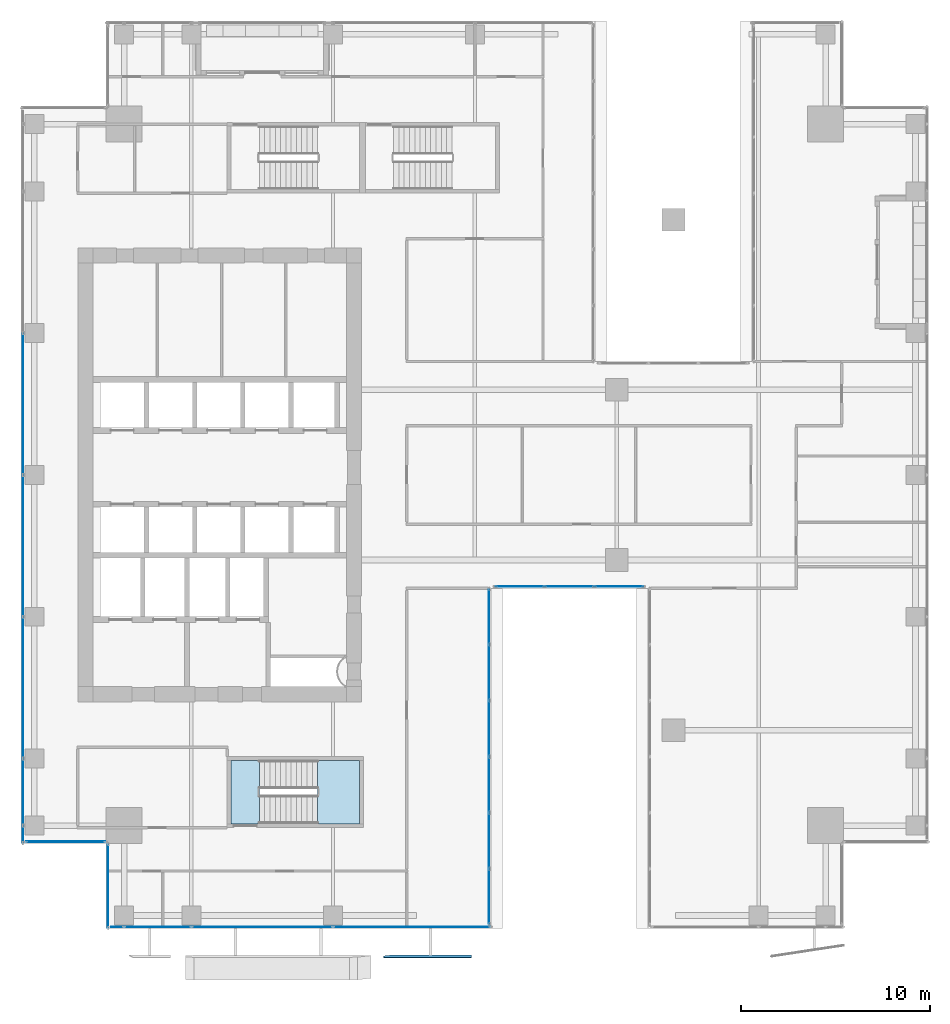
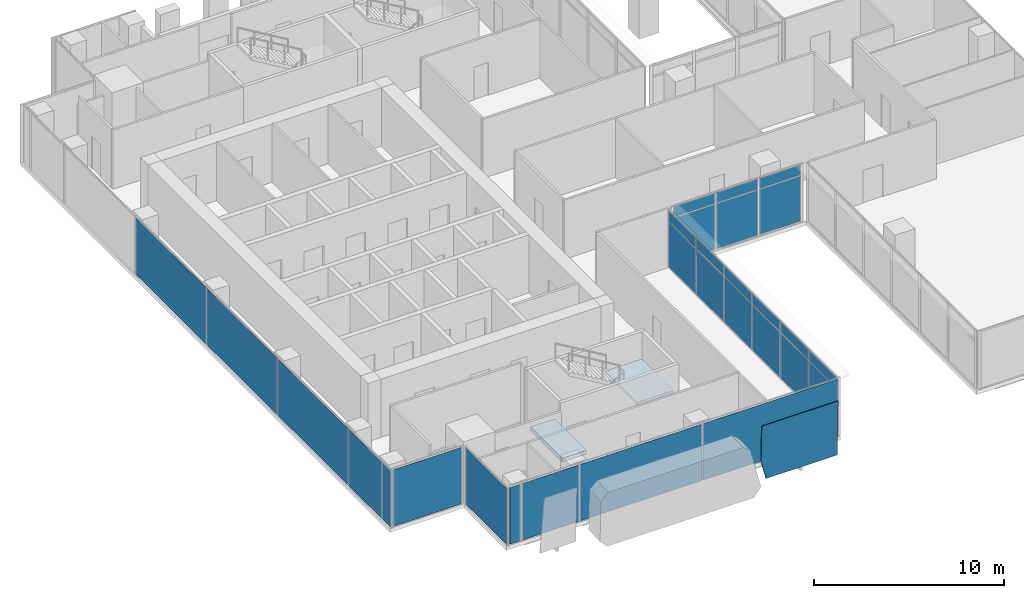
# One storey, part 29 of 40: 30 plates, 2 slabs, 7 elements without a shape of their own.
"""IFC4 building model written with IfcOpenShell, lengths in metres."""

from ifc_helpers import new_model, si_unit, direction, frame, origin, origin_2d, place, context, subcontext, project, spatial, polyline, rectangle, outline, extrude, source, transform, mapped, material, layer, layer_set, type_object, element, aggregate, save


model = new_model("IFC4")

# Units and contexts
model_context = context("Model", 3, precision=1e-05, world=origin(), true_north=direction((0.0, 1.0)))
body_context = subcontext(model_context, "Body", "Model", "MODEL_VIEW")
ifc_project = project(units=[si_unit("LENGTHUNIT", "METRE"), si_unit("AREAUNIT", "SQUARE_METRE"), si_unit("VOLUMEUNIT", "CUBIC_METRE"), si_unit("PLANEANGLEUNIT", "RADIAN"), si_unit("MASSUNIT", "GRAM", prefix="KILO")], contexts=[model_context])

# Site, building, storey
site_placement = place(None, origin())
site = spatial("IfcSite", under=ifc_project, at=site_placement, CompositionType="ELEMENT")
building_placement = place(site_placement, origin())
building = spatial("IfcBuilding", under=site, at=building_placement, Name="Khomas Fold Tower", CompositionType="ELEMENT")
storey_placement = place(building_placement, frame((0.0, 0.0, 180.699951171875)))
storey = spatial("IfcBuildingStorey", under=building, at=storey_placement, Name="L39", CompositionType="ELEMENT", Elevation=180.699951171875)

# Plate
ifc_material_1 = material(Name="Clear laminated glass", Category="glass")
ifc_layer_1 = layer(ifc_material_1, 0.0400390625)
ifc_layer_set_1 = layer_set([ifc_layer_1], Name="Clear laminated glass")
plate_type_1 = type_object("IfcPlateType", Name="SK-Clear laminated glass leaf", PredefinedType="SHEET", material=ifc_layer_set_1)
plate_1_placement = place(storey_placement, frame((22.490966796875, 1.59912109375, 0.0), z_axis=(-9.623456e-06, 0.999510828257, 0.031274655939), x_axis=(-0.260166514169, -0.030200177025, 0.965091360552)))
element("IfcPlate", 1, at=plate_1_placement, inside=storey, type_object=plate_type_1, Name="OUTER SKIN glass L39 SG102-2", PredefinedType="SHEET", context=body_context, shape_type="SweptSolid", body=[
    extrude(outline(polyline([(0.0, 0.0), (1.2339978637674525, 0.0), (3.513001347771091, 0.6140665322882664), (2.3005847407254865, 5.113744547809249), (-1.1288914688297111, 4.18968867193286), (0.0, 0.0)])), origin(), (0.0, 0.0, -1.0), 0.0400390625),
])

# Curtain wall, plate
ifc_material_2 = material(Name="Aluminium framed double glazing", Category="aluminium")
curtain_wall_type_1 = type_object("IfcCurtainWallType", Name="SK-Unitised clear-glass wall, office floors CW2", PredefinedType="NOTDEFINED", material=ifc_material_2)
curtain_wall_1_placement = place(storey_placement, origin())
curtain_wall_1 = element("IfcCurtainWall", 2, at=curtain_wall_1_placement, inside=storey, type_object=curtain_wall_type_1, Name="CW2 corner return L39 00", PredefinedType="NOTDEFINED")
ifc_material_3 = material(Name="Clear double glazed unit")
ifc_layer_2 = layer(ifc_material_3, 0.030029296875)
ifc_layer_set_2 = layer_set([ifc_layer_2], Name="Clear double glazed unit")
plate_type_2 = type_object("IfcPlateType", Name="SK-Unitised clear-glass wall, office floors glass panel CW2-P", PredefinedType="CURTAIN_PANEL", material=ifc_layer_set_2)
shared_shape_1 = source(origin(), body_context, "Body", "SweptSolid", [
    extrude(rectangle(XDim=4.3798828125, YDim=0.030029296875, at=origin_2d()), origin(), (0.0, 0.0, 1.0), 3.639892578125),
])
plate_2_placement = place(storey_placement, frame((7.60009765625, 5.25, 0.0), z_axis=(0.0, 0.0, 1.0), x_axis=(0.0, -1.0, 0.0)))
plate_2 = element("IfcPlate", 3, at=plate_2_placement, type_object=plate_type_2, Name="CW2 glass panel 1", PredefinedType="CURTAIN_PANEL", context=body_context, shape_type="MappedRepresentation", body=[
    mapped(shared_shape_1, transform((0.0, 0.0, 0.0))),
])
aggregate(curtain_wall_1, [plate_2])

# Curtain wall, plates
curtain_wall_2_placement = place(storey_placement, origin())
curtain_wall_2 = element("IfcCurtainWall", 4, at=curtain_wall_2_placement, inside=storey, type_object=curtain_wall_type_1, Name="CW2 run L39 01-0", PredefinedType="NOTDEFINED")
shared_shape_2 = source(origin(), body_context, "Body", "SweptSolid", [
    extrude(rectangle(XDim=0.659912109375, YDim=0.030029296875, at=origin_2d()), origin(), (0.0, 0.0, 1.0), 3.639892578125),
])
plate_3_placement = place(storey_placement, frame((8.090087890625, 3.10009765625, 0.0), z_axis=(0.0, 0.0, 1.0), x_axis=(1.0, 0.0, 0.0)))
plate_3 = element("IfcPlate", 5, at=plate_3_placement, type_object=plate_type_2, Name="CW2 glass panel 1", PredefinedType="CURTAIN_PANEL", context=body_context, shape_type="MappedRepresentation", body=[
    mapped(shared_shape_2, transform((0.0, 0.0, 0.0))),
])
shared_shape_3 = source(origin(), body_context, "Body", "SweptSolid", [
    extrude(rectangle(XDim=3.489990234375, YDim=0.030029296875, at=origin_2d()), origin(), (0.0, 0.0, 1.0), 3.639892578125),
])
plate_4_placement = place(storey_placement, frame((10.22509765625, 3.10009765625, 0.0), z_axis=(0.0, 0.0, 1.0), x_axis=(1.0, 0.0, 0.0)))
plate_4 = element("IfcPlate", 6, at=plate_4_placement, type_object=plate_type_2, Name="CW2 glass panel 2", PredefinedType="CURTAIN_PANEL", context=body_context, shape_type="MappedRepresentation", body=[
    mapped(shared_shape_3, transform((0.0, 0.0, 0.0))),
])

# Curtain wall, plate
curtain_wall_3_placement = place(storey_placement, origin())
curtain_wall_3 = element("IfcCurtainWall", 7, at=curtain_wall_3_placement, inside=storey, type_object=curtain_wall_type_1, Name="CW2 run L39 18-0", PredefinedType="NOTDEFINED")
plate_5_placement = place(storey_placement, frame((3.10009765625, 10.22509765625, 0.0), z_axis=(0.0, 0.0, 1.0), x_axis=(0.0, -1.0, 0.0)))
plate_5 = element("IfcPlate", 8, at=plate_5_placement, type_object=plate_type_2, Name="CW2 glass panel 7", PredefinedType="CURTAIN_PANEL", context=body_context, shape_type="MappedRepresentation", body=[
    mapped(shared_shape_3, transform((0.0, 0.0, 0.0))),
])

# Plate
shared_shape_4 = source(origin(), body_context, "Body", "SweptSolid", [
    extrude(rectangle(XDim=7.43994140625, YDim=0.030029296875, at=origin_2d()), origin(), (0.0, 0.0, 1.0), 3.639892578125),
])
plate_6_placement = place(storey_placement, frame((15.75, 3.10009765625, 0.0), z_axis=(0.0, 0.0, 1.0), x_axis=(1.0, 0.0, 0.0)))
plate_6 = element("IfcPlate", 9, at=plate_6_placement, type_object=plate_type_2, Name="CW2 glass panel 3", PredefinedType="CURTAIN_PANEL", context=body_context, shape_type="MappedRepresentation", body=[
    mapped(shared_shape_4, transform((0.0, 0.0, 0.0))),
])

plate_7_placement = place(storey_placement, frame((3.10009765625, 30.75, 0.0), z_axis=(0.0, 0.0, 1.0), x_axis=(0.0, -1.0, 0.0)))
plate_7 = element("IfcPlate", 10, at=plate_7_placement, type_object=plate_type_2, Name="CW2 glass panel 4", PredefinedType="CURTAIN_PANEL", context=body_context, shape_type="MappedRepresentation", body=[
    mapped(shared_shape_4, transform((0.0, 0.0, 0.0))),
])

plate_8_placement = place(storey_placement, frame((3.10009765625, 23.25, 0.0), z_axis=(0.0, 0.0, 1.0), x_axis=(0.0, -1.0, 0.0)))
plate_8 = element("IfcPlate", 11, at=plate_8_placement, type_object=plate_type_2, Name="CW2 glass panel 5", PredefinedType="CURTAIN_PANEL", context=body_context, shape_type="MappedRepresentation", body=[
    mapped(shared_shape_4, transform((0.0, 0.0, 0.0))),
])

plate_9_placement = place(storey_placement, frame((3.10009765625, 15.75, 0.0), z_axis=(0.0, 0.0, 1.0), x_axis=(0.0, -1.0, 0.0)))
plate_9 = element("IfcPlate", 12, at=plate_9_placement, type_object=plate_type_2, Name="CW2 glass panel 6", PredefinedType="CURTAIN_PANEL", context=body_context, shape_type="MappedRepresentation", body=[
    mapped(shared_shape_4, transform((0.0, 0.0, 0.0))),
])

# Curtain wall, plate
curtain_wall_4_placement = place(storey_placement, origin())
curtain_wall_4 = element("IfcCurtainWall", 13, at=curtain_wall_4_placement, inside=storey, type_object=curtain_wall_type_1, Name="CW2 corner return L39 19", PredefinedType="NOTDEFINED")
shared_shape_5 = source(origin(), body_context, "Body", "SweptSolid", [
    extrude(rectangle(XDim=4.179931640625, YDim=0.030029296875, at=origin_2d()), origin(), (0.0, 0.0, 1.0), 3.639892578125),
])
plate_10_placement = place(storey_placement, frame((5.35009765625, 7.60009765625, 0.0), z_axis=(0.0, 0.0, 1.0), x_axis=(1.0, 0.0, 0.0)))
plate_10 = element("IfcPlate", 14, at=plate_10_placement, type_object=plate_type_2, Name="CW2 glass panel 1", PredefinedType="CURTAIN_PANEL", context=body_context, shape_type="MappedRepresentation", body=[
    mapped(shared_shape_5, transform((0.0, 0.0, 0.0))),
])
aggregate(curtain_wall_4, [plate_10])

# Plate
shared_shape_6 = source(origin(), body_context, "Body", "SweptSolid", [
    extrude(rectangle(XDim=0.860107421875, YDim=0.030029296875, at=origin_2d()), origin(), (0.0, 0.0, 1.0), 3.639892578125),
])
plate_11_placement = place(storey_placement, frame((3.10009765625, 7.989990234375, 0.0), z_axis=(0.0, 0.0, 1.0), x_axis=(0.0, -1.0, 0.0)))
plate_11 = element("IfcPlate", 15, at=plate_11_placement, type_object=plate_type_2, Name="CW2 glass panel 8", PredefinedType="CURTAIN_PANEL", context=body_context, shape_type="MappedRepresentation", body=[
    mapped(shared_shape_6, transform((0.0, 0.0, 0.0))),
])

aggregate(curtain_wall_3, [plate_7, plate_8, plate_9, plate_5, plate_11])

shared_shape_7 = source(origin(), body_context, "Body", "SweptSolid", [
    extrude(rectangle(XDim=8.260009765625, YDim=0.030029296875, at=origin_2d()), origin(), (0.0, 0.0, 1.0), 3.639892578125),
])
plate_12_placement = place(storey_placement, frame((23.659912109375, 3.10009765625, 0.0), z_axis=(0.0, 0.0, 1.0), x_axis=(1.0, 0.0, 0.0)))
plate_12 = element("IfcPlate", 16, at=plate_12_placement, type_object=plate_type_2, Name="CW2 glass panel 4", PredefinedType="CURTAIN_PANEL", context=body_context, shape_type="MappedRepresentation", body=[
    mapped(shared_shape_7, transform((0.0, 0.0, 0.0))),
])

aggregate(curtain_wall_2, [plate_3, plate_4, plate_6, plate_12])

# Curtain wall, plates
ifc_material_4 = material(Name="Aluminium framed double glazing", Category="aluminium")
curtain_wall_type_2 = type_object("IfcCurtainWallType", Name="Notch glazing GN-CW", PredefinedType="NOTDEFINED", material=ifc_material_4)
curtain_wall_5_placement = place(storey_placement, origin())
curtain_wall_5 = element("IfcCurtainWall", 17, at=curtain_wall_5_placement, inside=storey, type_object=curtain_wall_type_2, Name="Notch glazing run", PredefinedType="NOTDEFINED")
ifc_material_5 = material(Name="Double glazed unit")
ifc_layer_3 = layer(ifc_material_5, 0.031982421875)
ifc_layer_set_3 = layer_set([ifc_layer_3], Name="Double glazed unit")
plate_type_3 = type_object("IfcPlateType", Name="Notch glazing panel GN-CW-P", PredefinedType="CURTAIN_PANEL", material=ifc_layer_set_3)
shared_shape_8 = source(origin(), body_context, "Body", "SweptSolid", [
    extrude(rectangle(XDim=2.876708984375, YDim=0.031982421875, at=origin_2d()), origin(), (0.0, 0.0, 1.0), 2.909912109375),
])
plate_13_placement = place(storey_placement, frame((27.75, 4.6982421875, 0.06005859375), z_axis=(0.0, 0.0, 1.0), x_axis=(0.0, 1.0, 0.0)))
plate_13 = element("IfcPlate", 18, at=plate_13_placement, type_object=plate_type_3, Name="GN-CW panel 1.1", PredefinedType="CURTAIN_PANEL", context=body_context, shape_type="MappedRepresentation", body=[
    mapped(shared_shape_8, transform((0.0, 0.0, 0.0))),
])
plate_14_placement = place(storey_placement, frame((27.75, 19.501708984375, 0.06005859375), z_axis=(0.0, 0.0, 1.0), x_axis=(0.0, 1.0, 0.0)))
plate_14 = element("IfcPlate", 19, at=plate_14_placement, type_object=plate_type_3, Name="GN-CW panel 6.1", PredefinedType="CURTAIN_PANEL", context=body_context, shape_type="MappedRepresentation", body=[
    mapped(shared_shape_8, transform((0.0, 0.0, 0.0))),
])
shared_shape_9 = source(origin(), body_context, "Body", "SweptSolid", [
    extrude(rectangle(XDim=2.90673828125, YDim=0.031982421875, at=origin_2d()), origin(), (0.0, 0.0, 1.0), 2.909912109375),
])
plate_15_placement = place(storey_placement, frame((27.75, 7.64990234375, 0.06005859375), z_axis=(0.0, 0.0, 1.0), x_axis=(0.0, 1.0, 0.0)))
plate_15 = element("IfcPlate", 20, at=plate_15_placement, type_object=plate_type_3, Name="GN-CW panel 2.1", PredefinedType="CURTAIN_PANEL", context=body_context, shape_type="MappedRepresentation", body=[
    mapped(shared_shape_9, transform((0.0, 0.0, 0.0))),
])
plate_16_placement = place(storey_placement, frame((27.75, 10.61669921875, 0.06005859375), z_axis=(0.0, 0.0, 1.0), x_axis=(0.0, 1.0, 0.0)))
plate_16 = element("IfcPlate", 21, at=plate_16_placement, type_object=plate_type_3, Name="GN-CW panel 3.1", PredefinedType="CURTAIN_PANEL", context=body_context, shape_type="MappedRepresentation", body=[
    mapped(shared_shape_9, transform((0.0, 0.0, 0.0))),
])
plate_17_placement = place(storey_placement, frame((27.75, 13.583251953125, 0.06005859375), z_axis=(0.0, 0.0, 1.0), x_axis=(0.0, 1.0, 0.0)))
plate_17 = element("IfcPlate", 22, at=plate_17_placement, type_object=plate_type_3, Name="GN-CW panel 4.1", PredefinedType="CURTAIN_PANEL", context=body_context, shape_type="MappedRepresentation", body=[
    mapped(shared_shape_9, transform((0.0, 0.0, 0.0))),
])
plate_18_placement = place(storey_placement, frame((27.75, 16.550048828125, 0.06005859375), z_axis=(0.0, 0.0, 1.0), x_axis=(0.0, 1.0, 0.0)))
plate_18 = element("IfcPlate", 23, at=plate_18_placement, type_object=plate_type_3, Name="GN-CW panel 5.1", PredefinedType="CURTAIN_PANEL", context=body_context, shape_type="MappedRepresentation", body=[
    mapped(shared_shape_9, transform((0.0, 0.0, 0.0))),
])
shared_shape_10 = source(origin(), body_context, "Body", "SweptSolid", [
    extrude(rectangle(XDim=2.876708984375, YDim=0.031982421875, at=origin_2d()), origin(), (0.0, 0.0, 1.0), 0.659912109375),
])
plate_19_placement = place(storey_placement, frame((27.75, 4.6982421875, 3.0302734375), z_axis=(0.0, 0.0, 1.0), x_axis=(0.0, 1.0, 0.0)))
plate_19 = element("IfcPlate", 24, at=plate_19_placement, type_object=plate_type_3, Name="GN-CW panel 1.2", PredefinedType="CURTAIN_PANEL", context=body_context, shape_type="MappedRepresentation", body=[
    mapped(shared_shape_10, transform((0.0, 0.0, 0.0))),
])
plate_20_placement = place(storey_placement, frame((27.75, 19.501708984375, 3.0302734375), z_axis=(0.0, 0.0, 1.0), x_axis=(0.0, 1.0, 0.0)))
plate_20 = element("IfcPlate", 25, at=plate_20_placement, type_object=plate_type_3, Name="GN-CW panel 6.2", PredefinedType="CURTAIN_PANEL", context=body_context, shape_type="MappedRepresentation", body=[
    mapped(shared_shape_10, transform((0.0, 0.0, 0.0))),
])
shared_shape_11 = source(origin(), body_context, "Body", "SweptSolid", [
    extrude(rectangle(XDim=2.90673828125, YDim=0.031982421875, at=origin_2d()), origin(), (0.0, 0.0, 1.0), 0.659912109375),
])
plate_21_placement = place(storey_placement, frame((27.75, 7.64990234375, 3.0302734375), z_axis=(0.0, 0.0, 1.0), x_axis=(0.0, 1.0, 0.0)))
plate_21 = element("IfcPlate", 26, at=plate_21_placement, type_object=plate_type_3, Name="GN-CW panel 2.2", PredefinedType="CURTAIN_PANEL", context=body_context, shape_type="MappedRepresentation", body=[
    mapped(shared_shape_11, transform((0.0, 0.0, 0.0))),
])
plate_22_placement = place(storey_placement, frame((27.75, 10.61669921875, 3.0302734375), z_axis=(0.0, 0.0, 1.0), x_axis=(0.0, 1.0, 0.0)))
plate_22 = element("IfcPlate", 27, at=plate_22_placement, type_object=plate_type_3, Name="GN-CW panel 3.2", PredefinedType="CURTAIN_PANEL", context=body_context, shape_type="MappedRepresentation", body=[
    mapped(shared_shape_11, transform((0.0, 0.0, 0.0))),
])
plate_23_placement = place(storey_placement, frame((27.75, 13.583251953125, 3.0302734375), z_axis=(0.0, 0.0, 1.0), x_axis=(0.0, 1.0, 0.0)))
plate_23 = element("IfcPlate", 28, at=plate_23_placement, type_object=plate_type_3, Name="GN-CW panel 4.2", PredefinedType="CURTAIN_PANEL", context=body_context, shape_type="MappedRepresentation", body=[
    mapped(shared_shape_11, transform((0.0, 0.0, 0.0))),
])
plate_24_placement = place(storey_placement, frame((27.75, 16.550048828125, 3.0302734375), z_axis=(0.0, 0.0, 1.0), x_axis=(0.0, 1.0, 0.0)))
plate_24 = element("IfcPlate", 29, at=plate_24_placement, type_object=plate_type_3, Name="GN-CW panel 5.2", PredefinedType="CURTAIN_PANEL", context=body_context, shape_type="MappedRepresentation", body=[
    mapped(shared_shape_11, transform((0.0, 0.0, 0.0))),
])
aggregate(curtain_wall_5, [plate_13, plate_19, plate_15, plate_21, plate_16, plate_22, plate_17, plate_23, plate_18, plate_24, plate_14, plate_20])

curtain_wall_6_placement = place(storey_placement, origin())
curtain_wall_6 = element("IfcCurtainWall", 30, at=curtain_wall_6_placement, inside=storey, type_object=curtain_wall_type_2, Name="Notch glazing run", PredefinedType="NOTDEFINED")
shared_shape_12 = source(origin(), body_context, "Body", "SweptSolid", [
    extrude(rectangle(XDim=2.543212890625, YDim=0.031982421875, at=origin_2d()), origin(), (0.0, 0.0, 1.0), 2.909912109375),
])
plate_25_placement = place(storey_placement, frame((29.381591796875, 21.10009765625, 0.06005859375), z_axis=(0.0, 0.0, 1.0), x_axis=(1.0, 0.0, 0.0)))
plate_25 = element("IfcPlate", 31, at=plate_25_placement, type_object=plate_type_3, Name="GN-CW panel 1.1", PredefinedType="CURTAIN_PANEL", context=body_context, shape_type="MappedRepresentation", body=[
    mapped(shared_shape_12, transform((0.0, 0.0, 0.0))),
])
plate_26_placement = place(storey_placement, frame((34.618408203125, 21.10009765625, 0.06005859375), z_axis=(0.0, 0.0, 1.0), x_axis=(1.0, 0.0, 0.0)))
plate_26 = element("IfcPlate", 32, at=plate_26_placement, type_object=plate_type_3, Name="GN-CW panel 3.1", PredefinedType="CURTAIN_PANEL", context=body_context, shape_type="MappedRepresentation", body=[
    mapped(shared_shape_12, transform((0.0, 0.0, 0.0))),
])
shared_shape_13 = source(origin(), body_context, "Body", "SweptSolid", [
    extrude(rectangle(XDim=2.543212890625, YDim=0.031982421875, at=origin_2d()), origin(), (0.0, 0.0, 1.0), 0.659912109375),
])
plate_27_placement = place(storey_placement, frame((29.381591796875, 21.10009765625, 3.0302734375), z_axis=(0.0, 0.0, 1.0), x_axis=(1.0, 0.0, 0.0)))
plate_27 = element("IfcPlate", 33, at=plate_27_placement, type_object=plate_type_3, Name="GN-CW panel 1.2", PredefinedType="CURTAIN_PANEL", context=body_context, shape_type="MappedRepresentation", body=[
    mapped(shared_shape_13, transform((0.0, 0.0, 0.0))),
])
plate_28_placement = place(storey_placement, frame((34.618408203125, 21.10009765625, 3.0302734375), z_axis=(0.0, 0.0, 1.0), x_axis=(1.0, 0.0, 0.0)))
plate_28 = element("IfcPlate", 34, at=plate_28_placement, type_object=plate_type_3, Name="GN-CW panel 3.2", PredefinedType="CURTAIN_PANEL", context=body_context, shape_type="MappedRepresentation", body=[
    mapped(shared_shape_13, transform((0.0, 0.0, 0.0))),
])
shared_shape_14 = source(origin(), body_context, "Body", "SweptSolid", [
    extrude(rectangle(XDim=2.5732421875, YDim=0.031982421875, at=origin_2d()), origin(), (0.0, 0.0, 1.0), 2.909912109375),
])
plate_29_placement = place(storey_placement, frame((32.0, 21.10009765625, 0.06005859375), z_axis=(0.0, 0.0, 1.0), x_axis=(1.0, 0.0, 0.0)))
plate_29 = element("IfcPlate", 35, at=plate_29_placement, type_object=plate_type_3, Name="GN-CW panel 2.1", PredefinedType="CURTAIN_PANEL", context=body_context, shape_type="MappedRepresentation", body=[
    mapped(shared_shape_14, transform((0.0, 0.0, 0.0))),
])
shared_shape_15 = source(origin(), body_context, "Body", "SweptSolid", [
    extrude(rectangle(XDim=2.5732421875, YDim=0.031982421875, at=origin_2d()), origin(), (0.0, 0.0, 1.0), 0.659912109375),
])
plate_30_placement = place(storey_placement, frame((32.0, 21.10009765625, 3.0302734375), z_axis=(0.0, 0.0, 1.0), x_axis=(1.0, 0.0, 0.0)))
plate_30 = element("IfcPlate", 36, at=plate_30_placement, type_object=plate_type_3, Name="GN-CW panel 2.2", PredefinedType="CURTAIN_PANEL", context=body_context, shape_type="MappedRepresentation", body=[
    mapped(shared_shape_15, transform((0.0, 0.0, 0.0))),
])
aggregate(curtain_wall_6, [plate_25, plate_27, plate_29, plate_30, plate_26, plate_28])

# Stair, slab
ifc_material_6 = material(Name="Concrete C40/50", Category="concrete")
stair_type = type_object("IfcStairType", Name="Stair ST2", PredefinedType="HALF_TURN_STAIR", material=ifc_material_6)
stair_placement = place(storey_placement, origin())
stair = element("IfcStair", 37, at=stair_placement, inside=storey, type_object=stair_type, Name="L39 ST2", PredefinedType="HALF_TURN_STAIR")
ifc_material_7 = material(Name="Concrete C40/50", Category="concrete")
ifc_layer_4 = layer(ifc_material_7, 0.199951171875)
ifc_layer_set_4 = layer_set([ifc_layer_4], Name="Concrete C40/50")
slab_type_1 = type_object("IfcSlabType", Name="Stair landing 200", PredefinedType="LANDING", material=ifc_layer_set_4)
shared_shape_16 = source(origin(), body_context, "Body", "SweptSolid", [
    extrude(outline(polyline([(18.679931640625, 8.550048828125), (20.89990234375, 8.550048828125), (20.89990234375, 11.89990234375), (18.679931640625, 11.89990234375), (18.679931640625, 8.550048828125)])), origin(), (0.0, 0.0, 1.0), 0.199951171875),
])
slab_1_placement = place(storey_placement, frame((0.0, 0.0, 1.800048828125)))
slab_1 = element("IfcSlab", 38, at=slab_1_placement, type_object=slab_type_1, Name="ST2 landing 1", PredefinedType="LANDING", context=body_context, shape_type="MappedRepresentation", body=[
    mapped(shared_shape_16, transform((0.0, 0.0, 0.0))),
])
aggregate(stair, [slab_1])

# Slab
ifc_material_8 = material(Name="Concrete C40/50", Category="concrete")
ifc_layer_5 = layer(ifc_material_8, 0.25)
ifc_layer_set_5 = layer_set([ifc_layer_5], Name="Concrete C40/50")
slab_type_2 = type_object("IfcSlabType", Name="Stair floor landing 250", PredefinedType="LANDING", material=ifc_layer_set_5)
shared_shape_17 = source(origin(), body_context, "Body", "SweptSolid", [
    extrude(outline(polyline([(15.60009765625, 8.550048828125), (14.10009765625, 8.550048828125), (14.10009765625, 11.89990234375), (15.60009765625, 11.89990234375), (15.60009765625, 8.550048828125)])), origin(), (0.0, 0.0, 1.0), 0.25),
])
slab_2_placement = place(storey_placement, frame((0.0, 0.0, -0.25)))
element("IfcSlab", 39, at=slab_2_placement, inside=storey, type_object=slab_type_2, Name="ST2 floor landing", PredefinedType="LANDING", context=body_context, shape_type="MappedRepresentation", body=[
    mapped(shared_shape_17, transform((0.0, 0.0, 0.0))),
])

save(model, "model.ifc")
